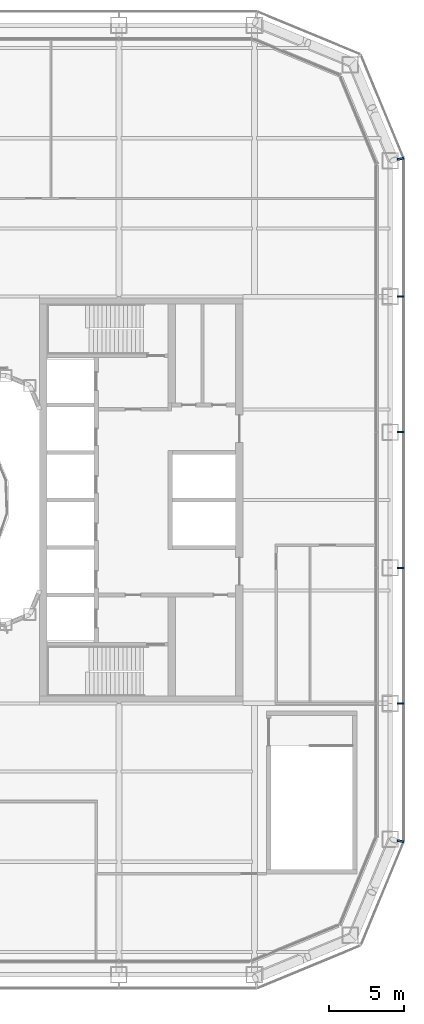
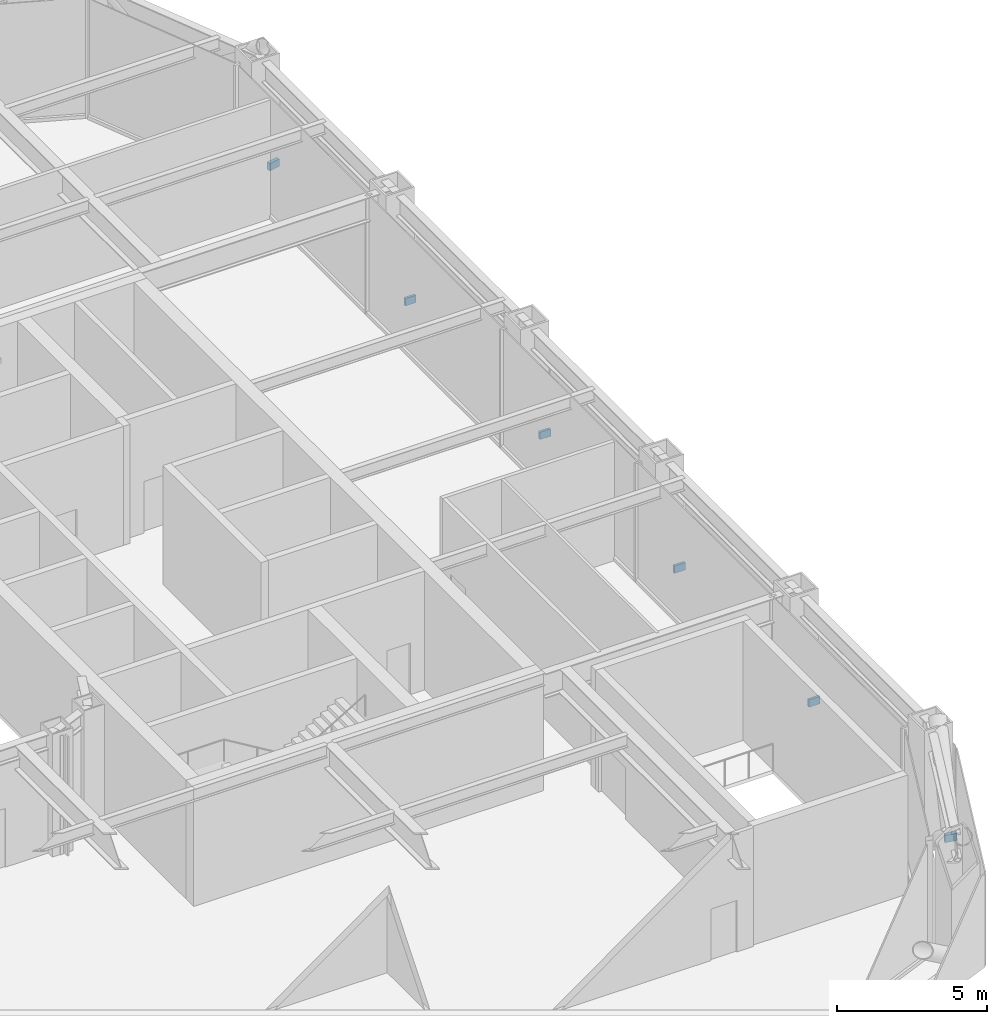
# One storey, part 18 of 25: 6 discrete accessories.
"""IFC4 building model written with IfcOpenShell, lengths in metres."""

import ifcopenshell
import ifcopenshell.guid

model = None  # the IFC model being written
_history = None  # IfcOwnerHistory: only IFC2X3 demands one
_inside = {}  # id of a spatial element -> (the spatial element, [elements in it])
_under = {}  # id of a project, library or spatial element -> (it, [spatial elements below it])
_declared = {}  # id of a project -> (the project, [libraries it declares])
_typed = {}  # id of a type object -> (the type object, [elements of that type])
_made_of = {}  # id of a material, layer set ... -> (it, [elements and type objects made of it])


def new_model(schema):
    """Start an empty IFC model of exactly this schema.

    Asked for "IFC4X3", IfcOpenShell would pick the latest addendum, in which some entities
    have other attributes; the version numbers below select the first issue.
    IFC2X3 requires an IfcOwnerHistory on every rooted entity: one is made here for all.
    """
    global model, _history
    if schema == "IFC4X3":
        model = ifcopenshell.file(schema_version=(4, 3, 0, 0))
    else:
        model = ifcopenshell.file(schema=schema)
    _inside.clear()
    _under.clear()
    _declared.clear()
    _typed.clear()
    _made_of.clear()
    _history = None
    if model.schema == "IFC2X3":
        org = make("IfcOrganization", Name="unknown")
        user = make(
            "IfcPersonAndOrganization",
            ThePerson=make("IfcPerson", FamilyName="unknown"),
            TheOrganization=org,
        )
        app = make(
            "IfcApplication",
            ApplicationDeveloper=org,
            Version="unknown",
            ApplicationFullName="unknown",
            ApplicationIdentifier="unknown",
        )
        _history = make(
            "IfcOwnerHistory",
            OwningUser=user,
            OwningApplication=app,
            ChangeAction="ADDED",
            CreationDate=0,
        )
    return model


def make(cls, **values):
    """One entity of the class cls with the attributes given. An attribute that is None is left unset."""
    return model.create_entity(
        cls, **{name: value for name, value in values.items() if value is not None}
    )


def rooted(cls, **values):
    """An entity with a GlobalId (a new one), such as an element, a storey or a relation."""
    return make(cls, GlobalId=ifcopenshell.guid.new(), OwnerHistory=_history, **values)


def si_unit(unit_type, name, prefix=None):
    """IfcSIUnit, for example si_unit("LENGTHUNIT", "METRE", prefix="MILLI")."""
    return make("IfcSIUnit", UnitType=unit_type, Prefix=prefix, Name=name)


def assignment(units):
    """IfcUnitAssignment: the units of a project."""
    return None if units is None else make("IfcUnitAssignment", Units=units)


def point(xyz):
    """IfcCartesianPoint."""
    return None if xyz is None else make("IfcCartesianPoint", Coordinates=xyz)


def direction(xyz):
    """IfcDirection."""
    return None if xyz is None else make("IfcDirection", DirectionRatios=xyz)


def frame(location, z_axis=None, x_axis=None):
    """IfcAxis2Placement3D, a coordinate frame: its origin and axes. An axis left out is left unset."""
    return make(
        "IfcAxis2Placement3D",
        Location=point(location),
        Axis=direction(z_axis),
        RefDirection=direction(x_axis),
    )


def frame_2d(location, x_axis=None):
    """IfcAxis2Placement2D, a coordinate frame in the plane: its origin and x axis."""
    return make(
        "IfcAxis2Placement2D", Location=point(location), RefDirection=direction(x_axis)
    )


def origin():
    """The frame at (0, 0, 0) with its axes left unset."""
    return frame((0.0, 0.0, 0.0))


def origin_2d():
    """The frame at (0, 0) in the plane with its x axis left unset."""
    return frame_2d((0.0, 0.0))


def place(relative_to, where):
    """IfcLocalPlacement: puts the frame where relative to a parent placement (None: the world)."""
    return make(
        "IfcLocalPlacement", PlacementRelTo=relative_to, RelativePlacement=where
    )


def context(
    kind, dimensions, precision=None, world=None, true_north=None, identifier=None
):
    """IfcGeometricRepresentationContext, for example the 3D "Model" context."""
    return make(
        "IfcGeometricRepresentationContext",
        ContextIdentifier=identifier,
        ContextType=kind,
        CoordinateSpaceDimension=dimensions,
        Precision=precision,
        WorldCoordinateSystem=world,
        TrueNorth=true_north,
    )


def subcontext(parent, identifier, kind, view, scale=None):
    """IfcGeometricRepresentationSubContext, for example "Body" below "Model"."""
    return make(
        "IfcGeometricRepresentationSubContext",
        ContextIdentifier=identifier,
        ContextType=kind,
        ParentContext=parent,
        TargetScale=scale,
        TargetView=view,
    )


def project(units=None, contexts=None):
    """IfcProject with its units and contexts."""
    return rooted(
        "IfcProject",
        Name="project",
        RepresentationContexts=contexts,
        UnitsInContext=assignment(units),
    )


def spatial(cls, under=None, at=None, **own):
    """A site, building, storey or space (cls), placed at a placement, below another one or the project."""
    s = rooted(cls, ObjectPlacement=at, **own)
    if under is not None:
        _under.setdefault(under.id(), (under, []))[1].append(s)
    return s


def profile(cls, at=None, kind="AREA", **sizes):
    """A parametric profile (cls). Its sizes go by their IFC names, for example OverallWidth=200.0."""
    return make(cls, ProfileType=kind, Position=at, **sizes)


def rectangle(**sizes):
    """IfcRectangleProfileDef."""
    return profile("IfcRectangleProfileDef", **sizes)


def extrude(swept, where, along, depth):
    """IfcExtrudedAreaSolid: the profile swept, set in the frame where, extruded along a direction by depth."""
    return make(
        "IfcExtrudedAreaSolid",
        SweptArea=swept,
        Position=where,
        ExtrudedDirection=direction(along),
        Depth=depth,
    )


def shape(context_of_items, identifier, shape_type, items):
    """IfcShapeRepresentation: the items that make up one representation, for example the "Body"."""
    return make(
        "IfcShapeRepresentation",
        ContextOfItems=context_of_items,
        RepresentationIdentifier=identifier,
        RepresentationType=shape_type,
        Items=items,
    )


def material(Name=None, Category=None):
    """IfcMaterial."""
    return make("IfcMaterial", Name=Name, Category=Category)


def made_of(thing, what):
    """Note that an element or type object is made of a material, layer set ...; save() writes the relation."""
    if what is not None:
        _made_of.setdefault(what.id(), (what, []))[1].append(thing)
    return thing


def type_object(cls, material=None, **own):
    """A type object (cls), such as IfcWallType, which elements share."""
    return made_of(rooted(cls, **own), material)


def element(
    cls,
    number,
    at=None,
    inside=None,
    cuts=None,
    type_object=None,
    material=None,
    context=None,
    identifier="Body",
    shape_type=None,
    held_by="IfcProductDefinitionShape",
    body=None,
    shapes=None,
    **own,
):
    """One element of the class cls, such as IfcWall. Its Tag is "e" and its number.

    at: its placement. inside: the storey or other place that contains it. cuts: it is an
    opening in that element (IfcRelVoidsElement). A single representation is given by context,
    identifier, shape_type and body (its items); several are given by shapes. held_by: the class
    of the entity that holds the representations. save() writes the other relations.
    """
    e = rooted(cls, Tag="e%d" % number, ObjectPlacement=at, **own)
    if body is not None:
        shapes = [shape(context, identifier, shape_type, body)]
    if shapes is not None:
        e.Representation = make(held_by, Representations=shapes)
    if inside is not None:
        _inside.setdefault(inside.id(), (inside, []))[1].append(e)
    if cuts is not None:
        rooted(
            "IfcRelVoidsElement", RelatingBuildingElement=cuts, RelatedOpeningElement=e
        )
    if type_object is not None:
        _typed.setdefault(type_object.id(), (type_object, []))[1].append(e)
    return made_of(e, material)


def aggregate(whole, parts):
    """IfcRelAggregates: a whole, such as a stair, and the parts it consists of."""
    return rooted("IfcRelAggregates", RelatingObject=whole, RelatedObjects=parts)


def save(model, path):
    """Write the relations noted so far, then the file.

    IfcRelAggregates (storeys below a building ...), IfcRelContainedInSpatialStructure (elements
    in a storey), IfcRelDefinesByType, IfcRelAssociatesMaterial and IfcRelDeclares: one each for
    every whole, place, type object, material and project.
    """
    for whole, parts in _under.values():
        aggregate(whole, parts)
    for where, things in _inside.values():
        rooted(
            "IfcRelContainedInSpatialStructure",
            RelatedElements=things,
            RelatingStructure=where,
        )
    for kind, things in _typed.values():
        rooted("IfcRelDefinesByType", RelatedObjects=things, RelatingType=kind)
    for what, things in _made_of.values():
        rooted("IfcRelAssociatesMaterial", RelatedObjects=things, RelatingMaterial=what)
    for by, libraries in _declared.values():
        rooted("IfcRelDeclares", RelatingContext=by, RelatedDefinitions=libraries)
    model.write(path)


model = new_model("IFC4")

# Units and contexts
model_context = context("Model", 3, precision=1e-05, world=origin(), true_north=direction((0.0, 1.0)))
body_context = subcontext(model_context, "Body", "Model", "MODEL_VIEW")
ifc_project = project(units=[si_unit("LENGTHUNIT", "METRE"), si_unit("AREAUNIT", "SQUARE_METRE"), si_unit("VOLUMEUNIT", "CUBIC_METRE"), si_unit("PLANEANGLEUNIT", "RADIAN"), si_unit("MASSUNIT", "GRAM", prefix="KILO")], contexts=[model_context])

# Site, building, storey
site_placement = place(None, origin())
site = spatial("IfcSite", under=ifc_project, at=site_placement, CompositionType="ELEMENT")
building_placement = place(site_placement, origin())
building = spatial("IfcBuilding", under=site, at=building_placement, Name="Siwar Civic Tower", CompositionType="ELEMENT")
storey_placement = place(building_placement, frame((0.0, 0.0, 17.199951171875)))
storey = spatial("IfcBuildingStorey", under=building, at=storey_placement, Name="L03", CompositionType="ELEMENT", Elevation=17.199951171875)

# Discrete accessories
ifc_material = material(Name="Stainless steel 316", Category="steel")
discrete_accessory_type = type_object("IfcDiscreteAccessoryType", Name="ENV-BRACKET", PredefinedType="BRACKET", material=ifc_material)
for number, where, z_axis, x_axis, name in (
    (1, (32.18994140625, -13.5, -0.14990234375), (0.0, 0.0, 1.0), (1.0, 0.0, 0.0), "Bracket outer skin joint E-01"),
    (2, (32.18994140625, -4.5, -0.14990234375), (0.0, 0.0, 1.0), (1.0, 0.0, 0.0), "Bracket outer skin joint E-02"),
    (3, (32.18994140625, 4.5, -0.14990234375), (0.0, 0.0, 1.0), (1.0, 0.0, 0.0), "Bracket outer skin joint E-03"),
    (4, (32.18994140625, 13.5, -0.14990234375), (0.0, 0.0, 1.0), (1.0, 0.0, 0.0), "Bracket outer skin joint E-04"),
):
    element("IfcDiscreteAccessory", number, at=place(storey_placement, frame(where, z_axis=z_axis, x_axis=x_axis)), inside=storey, type_object=discrete_accessory_type, Name=name, PredefinedType="BRACKET", context=body_context, shape_type="SweptSolid", body=[
        extrude(rectangle(XDim=0.419921875, YDim=0.10009765625, at=origin_2d()), origin(), (0.0, 0.0, 1.0), 0.300048828125),
    ])
for number, where, z_axis, x_axis, name in (
    (5, (32.190185546875, -22.63720703125, -0.14990234375), (0.0, 0.0, 1.0), (0.980785280403, -0.195090322016, 0.0), "Bracket outer skin joint V03"),
    (6, (32.190185546875, 22.63720703125, -0.14990234375), (0.0, 0.0, 1.0), (0.980785280403, 0.195090322016, 0.0), "Bracket outer skin joint V04"),
):
    element("IfcDiscreteAccessory", number, at=place(storey_placement, frame(where, z_axis=z_axis, x_axis=x_axis)), inside=storey, type_object=discrete_accessory_type, Name=name, PredefinedType="BRACKET", context=body_context, shape_type="SweptSolid", body=[
        extrude(rectangle(XDim=0.427734375, YDim=0.13720703125, at=origin_2d()), origin(), (0.0, 0.0, 1.0), 0.300048828125),
    ])

save(model, "model.ifc")
